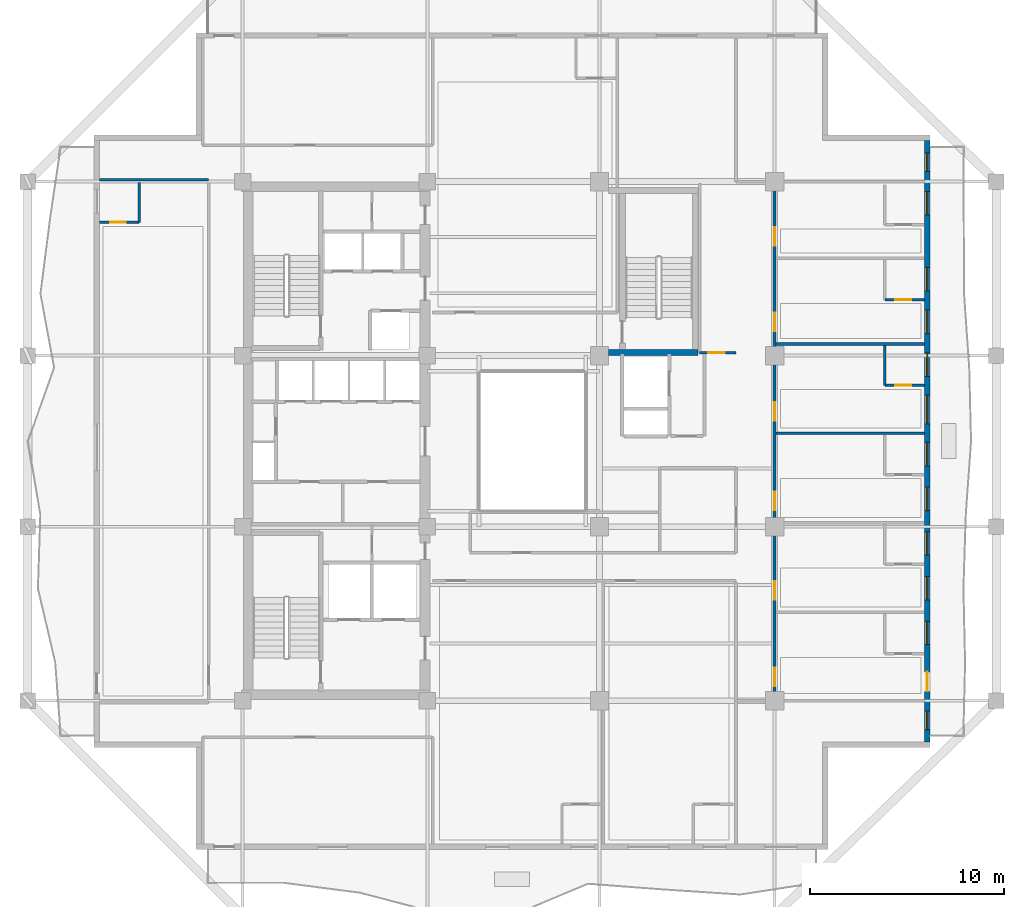
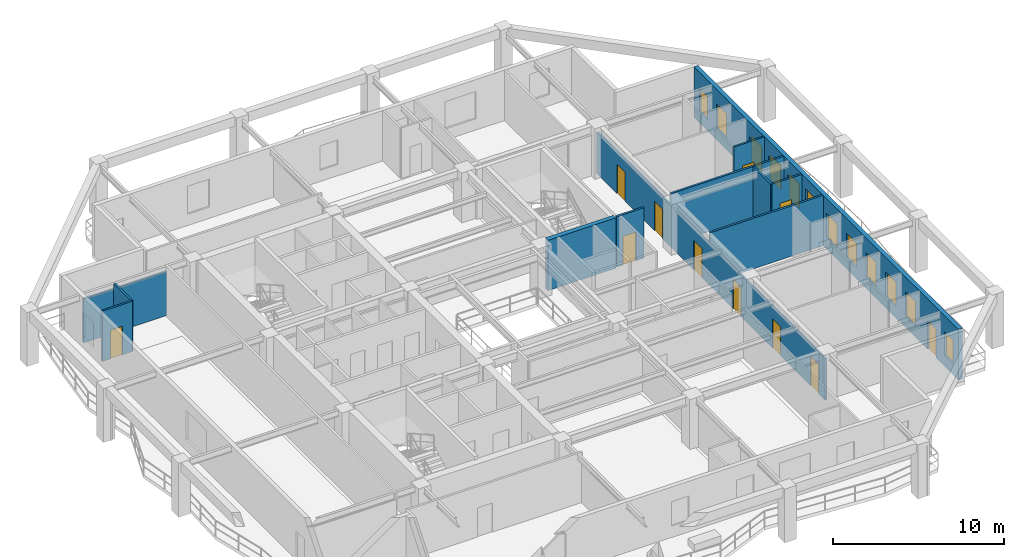
# One storey, part 5 of 13: 12 walls, 12 windows, 11 doors, 23 openings.
"""IFC4 building model written with IfcOpenShell, lengths in metres."""

from ifc_helpers import new_model, si_unit, direction, frame, frame_2d, origin, place, context, subcontext, project, spatial, rectangle, extrude, material, layer, layer_set, type_object, element, fill, save


model = new_model("IFC4")

# Units and contexts
model_context = context("Model", 3, precision=1e-05, world=origin(), true_north=direction((0.0, 1.0)))
body_context = subcontext(model_context, "Body", "Model", "MODEL_VIEW")
ifc_project = project(units=[si_unit("LENGTHUNIT", "METRE"), si_unit("AREAUNIT", "SQUARE_METRE"), si_unit("VOLUMEUNIT", "CUBIC_METRE"), si_unit("PLANEANGLEUNIT", "RADIAN"), si_unit("MASSUNIT", "GRAM", prefix="KILO")], contexts=[model_context])

# Site, building, storey
site_placement = place(None, origin())
site = spatial("IfcSite", under=ifc_project, at=site_placement, CompositionType="ELEMENT")
building_placement = place(site_placement, origin())
building = spatial("IfcBuilding", under=site, at=building_placement, Name="Kundavana Baori Tower", CompositionType="ELEMENT")
storey_placement = place(building_placement, frame((0.0, 0.0, 188.699951171875)))
storey = spatial("IfcBuildingStorey", under=building, at=storey_placement, Name="L46", CompositionType="ELEMENT", Elevation=188.699951171875)

# Wall, openings, door, windows
ifc_material_1 = material(Name="Red-Buff Dholpur Sandstone Cladding on Concrete C40/50", Category="masonry")
ifc_layer_1 = layer(ifc_material_1, 0.280029296875, Name="WL-EXT-SAND-280")
ifc_layer_set_1 = layer_set([ifc_layer_1], Name="Red-Buff Dholpur Sandstone Cladding on Concrete C40/50")
wall_type_1 = type_object("IfcWallType", Name="WL-EXT-SAND-280", PredefinedType="STANDARD", material=ifc_layer_set_1)
wall_1_placement = place(storey_placement, frame((50.659912109375, 13.1298828125, 0.0), z_axis=(0.0, 0.0, 1.0), x_axis=(0.0, 1.0, 0.0)))
wall_1 = element("IfcWall", 1, at=wall_1_placement, inside=storey, type_object=wall_type_1, Name="L46 Exterior Insulated Facade Wall 04", PredefinedType="STANDARD", context=body_context, shape_type="SweptSolid", body=[
    extrude(rectangle(XDim=30.940185546875, YDim=0.280029296875, at=frame_2d((15.47021484375, 0.0))), origin(), (0.0, 0.0, 1.0), 3.60009765625),
])
opening_1_placement = place(wall_1_placement, frame((0.639892578125, 0.0, 0.800048828125)))
opening_1 = element("IfcOpeningElement", 2, at=opening_1_placement, cuts=wall_1, Name="Opening W-13", PredefinedType="OPENING", context=body_context, shape_type="SweptSolid", body=[
    extrude(rectangle(XDim=0.949951171875, YDim=1.64990234375, at=frame_2d((0.47509765625, 0.824951171875))), frame((0.0, 0.14990234375, 0.0), z_axis=(0.0, -1.0, 0.0), x_axis=(1.0, 0.0, 0.0)), (0.0, 0.0, 1.0), 0.300048828125),
])
opening_2_placement = place(wall_1_placement, frame((2.610107421875, 0.0, 0.0)))
opening_2 = element("IfcOpeningElement", 3, at=opening_2_placement, cuts=wall_1, Name="Opening BD-1", PredefinedType="OPENING", context=body_context, shape_type="SweptSolid", body=[
    extrude(rectangle(XDim=1.0, YDim=2.050048828125, at=frame_2d((0.5, 1.02490234375))), frame((0.0, 0.14990234375, 0.0), z_axis=(0.0, -1.0, 0.0), x_axis=(1.0, 0.0, 0.0)), (0.0, 0.0, 1.0), 0.300048828125),
])
opening_3_placement = place(wall_1_placement, frame((5.0048828125, 0.0, 0.800048828125)))
opening_3 = element("IfcOpeningElement", 4, at=opening_3_placement, cuts=wall_1, Name="Opening W-03", PredefinedType="OPENING", context=body_context, shape_type="SweptSolid", body=[
    extrude(rectangle(XDim=1.199951171875, YDim=1.75, at=frame_2d((0.60009765625, 0.875))), frame((0.0, 0.14990234375, 0.0), z_axis=(0.0, -1.0, 0.0), x_axis=(1.0, 0.0, 0.0)), (0.0, 0.0, 1.0), 0.300048828125),
])
opening_4_placement = place(wall_1_placement, frame((7.304931640625, 0.0, 0.800048828125)))
opening_4 = element("IfcOpeningElement", 5, at=opening_4_placement, cuts=wall_1, Name="Opening W-03", PredefinedType="OPENING", context=body_context, shape_type="SweptSolid", body=[
    extrude(rectangle(XDim=1.199951171875, YDim=1.75, at=frame_2d((0.60009765625, 0.875))), frame((0.0, 0.14990234375, 0.0), z_axis=(0.0, -1.0, 0.0), x_axis=(1.0, 0.0, 0.0)), (0.0, 0.0, 1.0), 0.300048828125),
])
opening_5_placement = place(wall_1_placement, frame((9.60498046875, 0.0, 0.800048828125)))
opening_5 = element("IfcOpeningElement", 6, at=opening_5_placement, cuts=wall_1, Name="Opening W-03", PredefinedType="OPENING", context=body_context, shape_type="SweptSolid", body=[
    extrude(rectangle(XDim=1.199951171875, YDim=1.75, at=frame_2d((0.60009765625, 0.875))), frame((0.0, 0.14990234375, 0.0), z_axis=(0.0, -1.0, 0.0), x_axis=(1.0, 0.0, 0.0)), (0.0, 0.0, 1.0), 0.300048828125),
])
opening_6_placement = place(wall_1_placement, frame((11.905029296875, 0.0, 0.800048828125)))
opening_6 = element("IfcOpeningElement", 7, at=opening_6_placement, cuts=wall_1, Name="Opening W-03", PredefinedType="OPENING", context=body_context, shape_type="SweptSolid", body=[
    extrude(rectangle(XDim=1.199951171875, YDim=1.75, at=frame_2d((0.60009765625, 0.875))), frame((0.0, 0.14990234375, 0.0), z_axis=(0.0, -1.0, 0.0), x_axis=(1.0, 0.0, 0.0)), (0.0, 0.0, 1.0), 0.300048828125),
])
opening_7_placement = place(wall_1_placement, frame((14.205078125, 0.0, 0.800048828125)))
opening_7 = element("IfcOpeningElement", 8, at=opening_7_placement, cuts=wall_1, Name="Opening W-03", PredefinedType="OPENING", context=body_context, shape_type="SweptSolid", body=[
    extrude(rectangle(XDim=1.199951171875, YDim=1.75, at=frame_2d((0.60009765625, 0.875))), frame((0.0, 0.14990234375, 0.0), z_axis=(0.0, -1.0, 0.0), x_axis=(1.0, 0.0, 0.0)), (0.0, 0.0, 1.0), 0.300048828125),
])
opening_8_placement = place(wall_1_placement, frame((16.35498046875, 0.0, 0.800048828125)))
opening_8 = element("IfcOpeningElement", 9, at=opening_8_placement, cuts=wall_1, Name="Opening W-02", PredefinedType="OPENING", context=body_context, shape_type="SweptSolid", body=[
    extrude(rectangle(XDim=1.5, YDim=2.0, at=frame_2d((0.75, 1.0))), frame((0.0, 0.14990234375, 0.0), z_axis=(0.0, -1.0, 0.0), x_axis=(1.0, 0.0, 0.0)), (0.0, 0.0, 1.0), 0.300048828125),
])
opening_9_placement = place(wall_1_placement, frame((18.804931640625, 0.0, 0.800048828125)))
opening_9 = element("IfcOpeningElement", 10, at=opening_9_placement, cuts=wall_1, Name="Opening W-03", PredefinedType="OPENING", context=body_context, shape_type="SweptSolid", body=[
    extrude(rectangle(XDim=1.199951171875, YDim=1.75, at=frame_2d((0.60009765625, 0.875))), frame((0.0, 0.14990234375, 0.0), z_axis=(0.0, -1.0, 0.0), x_axis=(1.0, 0.0, 0.0)), (0.0, 0.0, 1.0), 0.300048828125),
])
opening_10_placement = place(wall_1_placement, frame((21.0048828125, 0.0, 0.800048828125)))
opening_10 = element("IfcOpeningElement", 11, at=opening_10_placement, cuts=wall_1, Name="Opening W-03", PredefinedType="OPENING", context=body_context, shape_type="SweptSolid", body=[
    extrude(rectangle(XDim=1.199951171875, YDim=1.75, at=frame_2d((0.60009765625, 0.875))), frame((0.0, 0.14990234375, 0.0), z_axis=(0.0, -1.0, 0.0), x_axis=(1.0, 0.0, 0.0)), (0.0, 0.0, 1.0), 0.300048828125),
])
opening_11_placement = place(wall_1_placement, frame((23.205078125, 0.0, 0.800048828125)))
opening_11 = element("IfcOpeningElement", 12, at=opening_11_placement, cuts=wall_1, Name="Opening W-03", PredefinedType="OPENING", context=body_context, shape_type="SweptSolid", body=[
    extrude(rectangle(XDim=1.199951171875, YDim=1.75, at=frame_2d((0.60009765625, 0.875))), frame((0.0, 0.14990234375, 0.0), z_axis=(0.0, -1.0, 0.0), x_axis=(1.0, 0.0, 0.0)), (0.0, 0.0, 1.0), 0.300048828125),
])
opening_12_placement = place(wall_1_placement, frame((27.10498046875, 0.0, 0.800048828125)))
opening_12 = element("IfcOpeningElement", 13, at=opening_12_placement, cuts=wall_1, Name="Opening W-03", PredefinedType="OPENING", context=body_context, shape_type="SweptSolid", body=[
    extrude(rectangle(XDim=1.199951171875, YDim=1.75, at=frame_2d((0.60009765625, 0.875))), frame((0.0, 0.14990234375, 0.0), z_axis=(0.0, -1.0, 0.0), x_axis=(1.0, 0.0, 0.0)), (0.0, 0.0, 1.0), 0.300048828125),
])
opening_13_placement = place(wall_1_placement, frame((29.35009765625, 0.0, 0.800048828125)))
opening_13 = element("IfcOpeningElement", 14, at=opening_13_placement, cuts=wall_1, Name="Opening W-13", PredefinedType="OPENING", context=body_context, shape_type="SweptSolid", body=[
    extrude(rectangle(XDim=0.949951171875, YDim=1.64990234375, at=frame_2d((0.47509765625, 0.824951171875))), frame((0.0, 0.14990234375, 0.0), z_axis=(0.0, -1.0, 0.0), x_axis=(1.0, 0.0, 0.0)), (0.0, 0.0, 1.0), 0.300048828125),
])
ifc_material_2 = material(Name="Architectural Patinated Bronze Metalwork")
door_type_1 = type_object("IfcDoorType", Name="DR-EXT-LOG-1000", OperationType="NOTDEFINED", PredefinedType="DOOR", material=ifc_material_2)
door_1_placement = place(opening_2_placement, frame((1.0, 0.0, 0.0), z_axis=(0.0, 0.0, 1.0), x_axis=(-1.0, 0.0, 0.0)))
door_1 = element("IfcDoor", 15, at=door_1_placement, inside=storey, type_object=door_type_1, Name="L46 Loggia Balcony Access Door E", OperationType="SINGLE_SWING_LEFT", OverallHeight=2.050048828125, OverallWidth=1.0, PredefinedType="DOOR", context=body_context, shape_type="SweptSolid", body=[
    extrude(rectangle(XDim=1.0, YDim=2.050048828125, at=frame_2d((0.5, 1.02490234375))), frame((0.0, 0.02490234375, 0.0), z_axis=(0.0, -1.0, 0.0), x_axis=(1.0, 0.0, 0.0)), (0.0, 0.0, 1.0), 0.050048828125),
])
fill(opening_2, door_1)
ifc_material_3 = material(Name="Double-Glazed Solar-Control Low-E Insulated Glass", Category="glass")
window_type_1 = type_object("IfcWindowType", Name="WIN-LOG-1200x1750", PartitioningType="SINGLE_PANEL", PredefinedType="WINDOW", material=ifc_material_3)
window_1_placement = place(opening_3_placement, origin())
window_1 = element("IfcWindow", 16, at=window_1_placement, inside=storey, type_object=window_type_1, Name="L46 Recessed Loggia Window E-3", OverallHeight=1.75, OverallWidth=1.199951171875, PartitioningType="SINGLE_PANEL", PredefinedType="WINDOW", context=body_context, shape_type="SweptSolid", body=[
    extrude(rectangle(XDim=1.199951171875, YDim=1.75, at=frame_2d((0.60009765625, 0.875))), frame((0.0, 0.030029296875, 0.0), z_axis=(0.0, -1.0, 0.0), x_axis=(1.0, 0.0, 0.0)), (0.0, 0.0, 1.0), 0.06005859375),
])
fill(opening_3, window_1)
window_2_placement = place(opening_4_placement, origin())
window_2 = element("IfcWindow", 17, at=window_2_placement, inside=storey, type_object=window_type_1, Name="L46 Recessed Loggia Window E-4", OverallHeight=1.75, OverallWidth=1.199951171875, PartitioningType="SINGLE_PANEL", PredefinedType="WINDOW", context=body_context, shape_type="SweptSolid", body=[
    extrude(rectangle(XDim=1.199951171875, YDim=1.75, at=frame_2d((0.60009765625, 0.875))), frame((0.0, 0.030029296875, 0.0), z_axis=(0.0, -1.0, 0.0), x_axis=(1.0, 0.0, 0.0)), (0.0, 0.0, 1.0), 0.06005859375),
])
fill(opening_4, window_2)
window_3_placement = place(opening_5_placement, origin())
window_3 = element("IfcWindow", 18, at=window_3_placement, inside=storey, type_object=window_type_1, Name="L46 Recessed Loggia Window E-5", OverallHeight=1.75, OverallWidth=1.199951171875, PartitioningType="SINGLE_PANEL", PredefinedType="WINDOW", context=body_context, shape_type="SweptSolid", body=[
    extrude(rectangle(XDim=1.199951171875, YDim=1.75, at=frame_2d((0.60009765625, 0.875))), frame((0.0, 0.030029296875, 0.0), z_axis=(0.0, -1.0, 0.0), x_axis=(1.0, 0.0, 0.0)), (0.0, 0.0, 1.0), 0.06005859375),
])
fill(opening_5, window_3)
window_4_placement = place(opening_6_placement, origin())
window_4 = element("IfcWindow", 19, at=window_4_placement, inside=storey, type_object=window_type_1, Name="L46 Recessed Loggia Window E-6", OverallHeight=1.75, OverallWidth=1.199951171875, PartitioningType="SINGLE_PANEL", PredefinedType="WINDOW", context=body_context, shape_type="SweptSolid", body=[
    extrude(rectangle(XDim=1.199951171875, YDim=1.75, at=frame_2d((0.60009765625, 0.875))), frame((0.0, 0.030029296875, 0.0), z_axis=(0.0, -1.0, 0.0), x_axis=(1.0, 0.0, 0.0)), (0.0, 0.0, 1.0), 0.06005859375),
])
fill(opening_6, window_4)
window_5_placement = place(opening_7_placement, origin())
window_5 = element("IfcWindow", 20, at=window_5_placement, inside=storey, type_object=window_type_1, Name="L46 Recessed Loggia Window E-7", OverallHeight=1.75, OverallWidth=1.199951171875, PartitioningType="SINGLE_PANEL", PredefinedType="WINDOW", context=body_context, shape_type="SweptSolid", body=[
    extrude(rectangle(XDim=1.199951171875, YDim=1.75, at=frame_2d((0.60009765625, 0.875))), frame((0.0, 0.030029296875, 0.0), z_axis=(0.0, -1.0, 0.0), x_axis=(1.0, 0.0, 0.0)), (0.0, 0.0, 1.0), 0.06005859375),
])
fill(opening_7, window_5)
window_6_placement = place(opening_9_placement, origin())
window_6 = element("IfcWindow", 21, at=window_6_placement, inside=storey, type_object=window_type_1, Name="L46 Recessed Loggia Window E-9", OverallHeight=1.75, OverallWidth=1.199951171875, PartitioningType="SINGLE_PANEL", PredefinedType="WINDOW", context=body_context, shape_type="SweptSolid", body=[
    extrude(rectangle(XDim=1.199951171875, YDim=1.75, at=frame_2d((0.60009765625, 0.875))), frame((0.0, 0.030029296875, 0.0), z_axis=(0.0, -1.0, 0.0), x_axis=(1.0, 0.0, 0.0)), (0.0, 0.0, 1.0), 0.06005859375),
])
fill(opening_9, window_6)
window_7_placement = place(opening_10_placement, origin())
window_7 = element("IfcWindow", 22, at=window_7_placement, inside=storey, type_object=window_type_1, Name="L46 Recessed Loggia Window E-10", OverallHeight=1.75, OverallWidth=1.199951171875, PartitioningType="SINGLE_PANEL", PredefinedType="WINDOW", context=body_context, shape_type="SweptSolid", body=[
    extrude(rectangle(XDim=1.199951171875, YDim=1.75, at=frame_2d((0.60009765625, 0.875))), frame((0.0, 0.030029296875, 0.0), z_axis=(0.0, -1.0, 0.0), x_axis=(1.0, 0.0, 0.0)), (0.0, 0.0, 1.0), 0.06005859375),
])
fill(opening_10, window_7)
window_8_placement = place(opening_11_placement, origin())
window_8 = element("IfcWindow", 23, at=window_8_placement, inside=storey, type_object=window_type_1, Name="L46 Recessed Loggia Window E-11", OverallHeight=1.75, OverallWidth=1.199951171875, PartitioningType="SINGLE_PANEL", PredefinedType="WINDOW", context=body_context, shape_type="SweptSolid", body=[
    extrude(rectangle(XDim=1.199951171875, YDim=1.75, at=frame_2d((0.60009765625, 0.875))), frame((0.0, 0.030029296875, 0.0), z_axis=(0.0, -1.0, 0.0), x_axis=(1.0, 0.0, 0.0)), (0.0, 0.0, 1.0), 0.06005859375),
])
fill(opening_11, window_8)
window_9_placement = place(opening_12_placement, origin())
window_9 = element("IfcWindow", 24, at=window_9_placement, inside=storey, type_object=window_type_1, Name="L46 Recessed Loggia Window E-12", OverallHeight=1.75, OverallWidth=1.199951171875, PartitioningType="SINGLE_PANEL", PredefinedType="WINDOW", context=body_context, shape_type="SweptSolid", body=[
    extrude(rectangle(XDim=1.199951171875, YDim=1.75, at=frame_2d((0.60009765625, 0.875))), frame((0.0, 0.030029296875, 0.0), z_axis=(0.0, -1.0, 0.0), x_axis=(1.0, 0.0, 0.0)), (0.0, 0.0, 1.0), 0.06005859375),
])
fill(opening_12, window_9)
ifc_material_4 = material(Name="Double-Glazed Solar-Control Low-E Insulated Glass", Category="glass")
window_type_2 = type_object("IfcWindowType", Name="WIN-LOG-1500x2000", PartitioningType="SINGLE_PANEL", PredefinedType="WINDOW", material=ifc_material_4)
window_10_placement = place(opening_8_placement, origin())
window_10 = element("IfcWindow", 25, at=window_10_placement, inside=storey, type_object=window_type_2, Name="L46 Recessed Loggia Window E-8", OverallHeight=2.0, OverallWidth=1.5, PartitioningType="SINGLE_PANEL", PredefinedType="WINDOW", context=body_context, shape_type="SweptSolid", body=[
    extrude(rectangle(XDim=1.5, YDim=2.0, at=frame_2d((0.75, 1.0))), frame((0.0, 0.030029296875, 0.0), z_axis=(0.0, -1.0, 0.0), x_axis=(1.0, 0.0, 0.0)), (0.0, 0.0, 1.0), 0.06005859375),
])
fill(opening_8, window_10)
ifc_material_5 = material(Name="Double-Glazed Solar-Control Low-E Insulated Glass", Category="glass")
window_type_3 = type_object("IfcWindowType", Name="WIN-LOG-950x1650", PartitioningType="SINGLE_PANEL", PredefinedType="WINDOW", material=ifc_material_5)
window_11_placement = place(opening_1_placement, origin())
window_11 = element("IfcWindow", 26, at=window_11_placement, inside=storey, type_object=window_type_3, Name="L46 Recessed Loggia Window E-1", OverallHeight=1.64990234375, OverallWidth=0.949951171875, PartitioningType="SINGLE_PANEL", PredefinedType="WINDOW", context=body_context, shape_type="SweptSolid", body=[
    extrude(rectangle(XDim=0.949951171875, YDim=1.64990234375, at=frame_2d((0.47509765625, 0.824951171875))), frame((0.0, 0.030029296875, 0.0), z_axis=(0.0, -1.0, 0.0), x_axis=(1.0, 0.0, 0.0)), (0.0, 0.0, 1.0), 0.06005859375),
])
fill(opening_1, window_11)
window_12_placement = place(opening_13_placement, origin())
window_12 = element("IfcWindow", 27, at=window_12_placement, inside=storey, type_object=window_type_3, Name="L46 Recessed Loggia Window E-13", OverallHeight=1.64990234375, OverallWidth=0.949951171875, PartitioningType="SINGLE_PANEL", PredefinedType="WINDOW", context=body_context, shape_type="SweptSolid", body=[
    extrude(rectangle(XDim=0.949951171875, YDim=1.64990234375, at=frame_2d((0.47509765625, 0.824951171875))), frame((0.0, 0.030029296875, 0.0), z_axis=(0.0, -1.0, 0.0), x_axis=(1.0, 0.0, 0.0)), (0.0, 0.0, 1.0), 0.06005859375),
])
fill(opening_13, window_12)

# Wall, openings, doors
ifc_material_6 = material(Name="Acoustic Gypsum Plasterboard on Galvanised Steel Studs", Category="steel")
ifc_layer_2 = layer(ifc_material_6, 0.135009765625, Name="WL-PART-135")
ifc_layer_set_2 = layer_set([ifc_layer_2], Name="Acoustic Gypsum Plasterboard on Galvanised Steel Studs")
wall_type_2 = type_object("IfcWallType", Name="WL-PART-135", PredefinedType="PARTITIONING", material=ifc_layer_set_2)
wall_2_placement = place(storey_placement, frame((42.800048828125, 15.25, 0.0), z_axis=(0.0, 0.0, 1.0), x_axis=(0.0, 1.0, 0.0)))
wall_2 = element("IfcWall", 28, at=wall_2_placement, inside=storey, type_object=wall_type_2, Name="WL-L46-HE", PredefinedType="PARTITIONING", context=body_context, shape_type="SweptSolid", body=[
    extrude(rectangle(XDim=26.699951171875, YDim=0.135009765625, at=frame_2d((13.35009765625, 0.0))), origin(), (0.0, 0.0, 1.0), 2.949951171875),
])
opening_14_placement = place(wall_2_placement, frame((0.75, 0.0, 0.0)))
opening_14 = element("IfcOpeningElement", 29, at=opening_14_placement, cuts=wall_2, Name="Opening FD-095", PredefinedType="OPENING", context=body_context, shape_type="SweptSolid", body=[
    extrude(rectangle(XDim=0.949951171875, YDim=2.10009765625, at=frame_2d((0.47509765625, 1.050048828125))), frame((0.0, 0.07763671875, 0.0), z_axis=(0.0, -1.0, 0.0), x_axis=(1.0, 0.0, 0.0)), (0.0, 0.0, 1.0), 0.155029296875),
])
opening_15_placement = place(wall_2_placement, frame((5.199951171875, 0.0, 0.0)))
opening_15 = element("IfcOpeningElement", 30, at=opening_15_placement, cuts=wall_2, Name="Opening FD-095", PredefinedType="OPENING", context=body_context, shape_type="SweptSolid", body=[
    extrude(rectangle(XDim=0.949951171875, YDim=2.10009765625, at=frame_2d((0.47509765625, 1.050048828125))), frame((0.0, 0.07763671875, 0.0), z_axis=(0.0, -1.0, 0.0), x_axis=(1.0, 0.0, 0.0)), (0.0, 0.0, 1.0), 0.155029296875),
])
opening_16_placement = place(wall_2_placement, frame((9.800048828125, 0.0, 0.0)))
opening_16 = element("IfcOpeningElement", 31, at=opening_16_placement, cuts=wall_2, Name="Opening FD-095", PredefinedType="OPENING", context=body_context, shape_type="SweptSolid", body=[
    extrude(rectangle(XDim=0.949951171875, YDim=2.10009765625, at=frame_2d((0.47509765625, 1.050048828125))), frame((0.0, 0.07763671875, 0.0), z_axis=(0.0, -1.0, 0.0), x_axis=(1.0, 0.0, 0.0)), (0.0, 0.0, 1.0), 0.155029296875),
])
opening_17_placement = place(wall_2_placement, frame((14.39990234375, 0.0, 0.0)))
opening_17 = element("IfcOpeningElement", 32, at=opening_17_placement, cuts=wall_2, Name="Opening FD-095", PredefinedType="OPENING", context=body_context, shape_type="SweptSolid", body=[
    extrude(rectangle(XDim=0.949951171875, YDim=2.10009765625, at=frame_2d((0.47509765625, 1.050048828125))), frame((0.0, 0.07763671875, 0.0), z_axis=(0.0, -1.0, 0.0), x_axis=(1.0, 0.0, 0.0)), (0.0, 0.0, 1.0), 0.155029296875),
])
opening_18_placement = place(wall_2_placement, frame((19.0, 0.0, 0.0)))
opening_18 = element("IfcOpeningElement", 33, at=opening_18_placement, cuts=wall_2, Name="Opening FD-095", PredefinedType="OPENING", context=body_context, shape_type="SweptSolid", body=[
    extrude(rectangle(XDim=0.949951171875, YDim=2.10009765625, at=frame_2d((0.47509765625, 1.050048828125))), frame((0.0, 0.07763671875, 0.0), z_axis=(0.0, -1.0, 0.0), x_axis=(1.0, 0.0, 0.0)), (0.0, 0.0, 1.0), 0.155029296875),
])
opening_19_placement = place(wall_2_placement, frame((23.39990234375, 0.0, 0.0)))
opening_19 = element("IfcOpeningElement", 34, at=opening_19_placement, cuts=wall_2, Name="Opening FD-095", PredefinedType="OPENING", context=body_context, shape_type="SweptSolid", body=[
    extrude(rectangle(XDim=0.949951171875, YDim=2.10009765625, at=frame_2d((0.47509765625, 1.050048828125))), frame((0.0, 0.07763671875, 0.0), z_axis=(0.0, -1.0, 0.0), x_axis=(1.0, 0.0, 0.0)), (0.0, 0.0, 1.0), 0.155029296875),
])
ifc_material_7 = material(Name="Engineered Teak Fire-Rated Timber Door Leaf", Category="wood")
door_type_2 = type_object("IfcDoorType", Name="DR-FD60-950", OperationType="NOTDEFINED", PredefinedType="DOOR", material=ifc_material_7)
door_2_placement = place(opening_14_placement, origin())
door_2 = element("IfcDoor", 35, at=door_2_placement, inside=storey, type_object=door_type_2, Name="DR-L46-HK-E1-ENT", OperationType="SINGLE_SWING_LEFT", OverallHeight=2.10009765625, OverallWidth=0.949951171875, PredefinedType="DOOR", context=body_context, shape_type="SweptSolid", body=[
    extrude(rectangle(XDim=0.949951171875, YDim=2.10009765625, at=frame_2d((0.47509765625, 1.050048828125))), frame((0.0, 0.02490234375, 0.0), z_axis=(0.0, -1.0, 0.0), x_axis=(1.0, 0.0, 0.0)), (0.0, 0.0, 1.0), 0.050048828125),
])
fill(opening_14, door_2)
door_3_placement = place(opening_15_placement, origin())
door_3 = element("IfcDoor", 36, at=door_3_placement, inside=storey, type_object=door_type_2, Name="DR-L46-HK-E2-ENT", OperationType="SINGLE_SWING_LEFT", OverallHeight=2.10009765625, OverallWidth=0.949951171875, PredefinedType="DOOR", context=body_context, shape_type="SweptSolid", body=[
    extrude(rectangle(XDim=0.949951171875, YDim=2.10009765625, at=frame_2d((0.47509765625, 1.050048828125))), frame((0.0, 0.02490234375, 0.0), z_axis=(0.0, -1.0, 0.0), x_axis=(1.0, 0.0, 0.0)), (0.0, 0.0, 1.0), 0.050048828125),
])
fill(opening_15, door_3)
door_4_placement = place(opening_16_placement, origin())
door_4 = element("IfcDoor", 37, at=door_4_placement, inside=storey, type_object=door_type_2, Name="DR-L46-HK-E3-ENT", OperationType="SINGLE_SWING_LEFT", OverallHeight=2.10009765625, OverallWidth=0.949951171875, PredefinedType="DOOR", context=body_context, shape_type="SweptSolid", body=[
    extrude(rectangle(XDim=0.949951171875, YDim=2.10009765625, at=frame_2d((0.47509765625, 1.050048828125))), frame((0.0, 0.02490234375, 0.0), z_axis=(0.0, -1.0, 0.0), x_axis=(1.0, 0.0, 0.0)), (0.0, 0.0, 1.0), 0.050048828125),
])
fill(opening_16, door_4)
door_5_placement = place(opening_17_placement, origin())
door_5 = element("IfcDoor", 38, at=door_5_placement, inside=storey, type_object=door_type_2, Name="DR-L46-HK-E4-ENT", OperationType="SINGLE_SWING_LEFT", OverallHeight=2.10009765625, OverallWidth=0.949951171875, PredefinedType="DOOR", context=body_context, shape_type="SweptSolid", body=[
    extrude(rectangle(XDim=0.949951171875, YDim=2.10009765625, at=frame_2d((0.47509765625, 1.050048828125))), frame((0.0, 0.02490234375, 0.0), z_axis=(0.0, -1.0, 0.0), x_axis=(1.0, 0.0, 0.0)), (0.0, 0.0, 1.0), 0.050048828125),
])
fill(opening_17, door_5)
door_6_placement = place(opening_18_placement, origin())
door_6 = element("IfcDoor", 39, at=door_6_placement, inside=storey, type_object=door_type_2, Name="DR-L46-HK-E5-ENT", OperationType="SINGLE_SWING_LEFT", OverallHeight=2.10009765625, OverallWidth=0.949951171875, PredefinedType="DOOR", context=body_context, shape_type="SweptSolid", body=[
    extrude(rectangle(XDim=0.949951171875, YDim=2.10009765625, at=frame_2d((0.47509765625, 1.050048828125))), frame((0.0, 0.02490234375, 0.0), z_axis=(0.0, -1.0, 0.0), x_axis=(1.0, 0.0, 0.0)), (0.0, 0.0, 1.0), 0.050048828125),
])
fill(opening_18, door_6)
door_7_placement = place(opening_19_placement, origin())
door_7 = element("IfcDoor", 40, at=door_7_placement, inside=storey, type_object=door_type_2, Name="DR-L46-HK-E6-ENT", OperationType="SINGLE_SWING_LEFT", OverallHeight=2.10009765625, OverallWidth=0.949951171875, PredefinedType="DOOR", context=body_context, shape_type="SweptSolid", body=[
    extrude(rectangle(XDim=0.949951171875, YDim=2.10009765625, at=frame_2d((0.47509765625, 1.050048828125))), frame((0.0, 0.02490234375, 0.0), z_axis=(0.0, -1.0, 0.0), x_axis=(1.0, 0.0, 0.0)), (0.0, 0.0, 1.0), 0.050048828125),
])
fill(opening_19, door_7)

# Walls
wall_3_placement = place(storey_placement, frame((8.080078125, 42.0400390625, 0.0), z_axis=(0.0, 0.0, 1.0), x_axis=(1.0, 0.0, 0.0)))
element("IfcWall", 41, at=wall_3_placement, inside=storey, type_object=wall_type_2, Name="WL-L46-HWN", PredefinedType="PARTITIONING", context=body_context, shape_type="SweptSolid", body=[
    extrude(rectangle(XDim=5.619873046875, YDim=0.135009765625, at=frame_2d((2.81005859375, 0.0))), origin(), (0.0, 0.0, 1.0), 3.150146484375),
])
for number, where, z_axis, x_axis, name in (
    (42, (42.8798828125, 29.0, 0.0), (0.0, 0.0, 1.0), (1.0, 0.0, 0.0), "WL-L46-HED3"),
    (43, (42.8798828125, 33.60009765625, 0.0), (0.0, 0.0, 1.0), (1.0, 0.0, 0.0), "WL-L46-HED4"),
):
    element("IfcWall", number, at=place(storey_placement, frame(where, z_axis=z_axis, x_axis=x_axis)), inside=storey, type_object=wall_type_2, Name=name, PredefinedType="PARTITIONING", context=body_context, shape_type="SweptSolid", body=[
        extrude(rectangle(XDim=7.64013671875, YDim=0.135009765625, at=frame_2d((3.820068359375, 0.0))), origin(), (0.0, 0.0, 1.0), 3.60009765625),
    ])

# Wall, opening, door
wall_4_placement = place(storey_placement, frame((38.949951171875, 33.14990234375, 0.0), z_axis=(0.0, 0.0, 1.0), x_axis=(1.0, 0.0, 0.0)))
wall_4 = element("IfcWall", 44, at=wall_4_placement, inside=storey, type_object=wall_type_2, Name="WL-L46-HNES", PredefinedType="PARTITIONING", context=body_context, shape_type="SweptSolid", body=[
    extrude(rectangle(XDim=1.8701171875, YDim=0.135009765625, at=frame_2d((0.93505859375, 0.0))), origin(), (0.0, 0.0, 1.0), 3.60009765625),
])
opening_20_placement = place(wall_4_placement, frame((0.449951171875, 0.0, 0.0)))
opening_20 = element("IfcOpeningElement", 45, at=opening_20_placement, cuts=wall_4, Name="Opening WD-085", PredefinedType="OPENING", context=body_context, shape_type="SweptSolid", body=[
    extrude(rectangle(XDim=0.85009765625, YDim=2.050048828125, at=frame_2d((0.425048828125, 1.02490234375))), frame((0.0, 0.07763671875, 0.0), z_axis=(0.0, -1.0, 0.0), x_axis=(1.0, 0.0, 0.0)), (0.0, 0.0, 1.0), 0.155029296875),
])
ifc_material_8 = material(Name="Engineered Teak Solid-Core Timber Veneer", Category="wood")
door_type_3 = type_object("IfcDoorType", Name="DR-WET-850", OperationType="NOTDEFINED", PredefinedType="DOOR", material=ifc_material_8)
door_8_placement = place(opening_20_placement, origin())
door_8 = element("IfcDoor", 46, at=door_8_placement, inside=storey, type_object=door_type_3, Name="DR-L46-HLNE", OperationType="SINGLE_SWING_LEFT", OverallHeight=2.050048828125, OverallWidth=0.85009765625, PredefinedType="DOOR", context=body_context, shape_type="SweptSolid", body=[
    extrude(rectangle(XDim=0.85009765625, YDim=2.050048828125, at=frame_2d((0.425048828125, 1.02490234375))), frame((0.0, 0.02490234375, 0.0), z_axis=(0.0, -1.0, 0.0), x_axis=(1.0, 0.0, 0.0)), (0.0, 0.0, 1.0), 0.050048828125),
])
fill(opening_20, door_8)

# Walls
ifc_material_9 = material(Name="Concrete C50/60", Category="concrete")
ifc_layer_3 = layer(ifc_material_9, 0.300048828125, Name="WL-ST3-300")
ifc_layer_set_3 = layer_set([ifc_layer_3], Name="Concrete C50/60")
wall_type_3 = type_object("IfcWallType", Name="WL-ST3-300", PredefinedType="SHEAR", material=ifc_layer_set_3)
wall_5_placement = place(storey_placement, frame((34.27490234375, 33.159912109375, 0.0), z_axis=(0.0, 0.0, 1.0), x_axis=(1.0, 0.0, 0.0)))
element("IfcWall", 47, at=wall_5_placement, inside=storey, type_object=wall_type_3, Name="L46 Stair ST3 South Shear Wall", PredefinedType="SHEAR", context=body_context, shape_type="SweptSolid", body=[
    extrude(rectangle(XDim=4.59521484375, YDim=0.300048828125, at=frame_2d((2.297607421875, 0.0))), origin(), (0.0, 0.0, 1.0), 3.60009765625),
])
ifc_material_10 = material(Name="Autoclaved Aerated Concrete Blockwork Masonry", Category="masonry")
ifc_layer_4 = layer(ifc_material_10, 0.125, Name="WL-WET-120")
ifc_layer_set_4 = layer_set([ifc_layer_4], Name="Autoclaved Aerated Concrete Blockwork Masonry")
wall_type_4 = type_object("IfcWallType", Name="WL-WET-120", PredefinedType="PLUMBINGWALL", material=ifc_layer_set_4)
wall_6_placement = place(storey_placement, frame((10.1298828125, 39.85009765625, 0.0), z_axis=(0.0, 0.0, 1.0), x_axis=(0.0, 1.0, 0.0)))
element("IfcWall", 48, at=wall_6_placement, inside=storey, type_object=wall_type_4, Name="WL-L46-HK-W1-BE", PredefinedType="PLUMBINGWALL", context=body_context, shape_type="SweptSolid", body=[
    extrude(rectangle(XDim=2.0498046875, YDim=0.125, at=frame_2d((1.02490234375, 0.0))), origin(), (0.0, 0.0, 1.0), 3.60009765625),
])

# Wall, opening, door
wall_7_placement = place(storey_placement, frame((8.080078125, 39.85009765625, 0.0), z_axis=(0.0, 0.0, 1.0), x_axis=(1.0, 0.0, 0.0)))
wall_7 = element("IfcWall", 49, at=wall_7_placement, inside=storey, type_object=wall_type_4, Name="WL-L46-HK-W1-BS", PredefinedType="PLUMBINGWALL", context=body_context, shape_type="SweptSolid", body=[
    extrude(rectangle(XDim=2.0498046875, YDim=0.125, at=frame_2d((1.02490234375, 0.0))), origin(), (0.0, 0.0, 1.0), 3.60009765625),
])
opening_21_placement = place(wall_7_placement, frame((0.550048828125, 0.0, 0.0)))
opening_21 = element("IfcOpeningElement", 50, at=opening_21_placement, cuts=wall_7, Name="Opening WD-080", PredefinedType="OPENING", context=body_context, shape_type="SweptSolid", body=[
    extrude(rectangle(XDim=0.800048828125, YDim=2.050048828125, at=frame_2d((0.39990234375, 1.02490234375))), frame((0.0, 0.072509765625, 0.0), z_axis=(0.0, -1.0, 0.0), x_axis=(1.0, 0.0, 0.0)), (0.0, 0.0, 1.0), 0.14501953125),
])
ifc_material_11 = material(Name="Engineered Teak Solid-Core Timber Veneer", Category="wood")
door_type_4 = type_object("IfcDoorType", Name="DR-WET-800", OperationType="NOTDEFINED", PredefinedType="DOOR", material=ifc_material_11)
door_9_placement = place(opening_21_placement, frame((0.800048828125, 0.0, 0.0), z_axis=(0.0, 0.0, 1.0), x_axis=(-1.0, 0.0, 0.0)))
door_9 = element("IfcDoor", 51, at=door_9_placement, inside=storey, type_object=door_type_4, Name="DR-L46-HK-W1-ENS", OperationType="SINGLE_SWING_LEFT", OverallHeight=2.050048828125, OverallWidth=0.800048828125, PredefinedType="DOOR", context=body_context, shape_type="SweptSolid", body=[
    extrude(rectangle(XDim=0.800048828125, YDim=2.050048828125, at=frame_2d((0.39990234375, 1.02490234375))), frame((0.0, 0.02490234375, 0.0), z_axis=(0.0, -1.0, 0.0), x_axis=(1.0, 0.0, 0.0)), (0.0, 0.0, 1.0), 0.050048828125),
])
fill(opening_21, door_9)

# Wall
wall_8_placement = place(storey_placement, frame((48.469970703125, 31.469970703125, 0.0), z_axis=(0.0, 0.0, 1.0), x_axis=(0.0, 1.0, 0.0)))
element("IfcWall", 52, at=wall_8_placement, inside=storey, type_object=wall_type_4, Name="WL-L46-HK-E4-BW", PredefinedType="PLUMBINGWALL", context=body_context, shape_type="SweptSolid", body=[
    extrude(rectangle(XDim=2.050048828125, YDim=0.125, at=frame_2d((1.02490234375, 0.0))), origin(), (0.0, 0.0, 1.0), 3.60009765625),
])

# Wall, opening, door
wall_9_placement = place(storey_placement, frame((48.469970703125, 31.469970703125, 0.0), z_axis=(0.0, 0.0, 1.0), x_axis=(1.0, 0.0, 0.0)))
wall_9 = element("IfcWall", 53, at=wall_9_placement, inside=storey, type_object=wall_type_4, Name="WL-L46-HK-E4-BS", PredefinedType="PLUMBINGWALL", context=body_context, shape_type="SweptSolid", body=[
    extrude(rectangle(XDim=2.050048828125, YDim=0.125, at=frame_2d((1.02490234375, 0.0))), origin(), (0.0, 0.0, 1.0), 3.60009765625),
])
opening_22_placement = place(wall_9_placement, frame((0.550048828125, 0.0, 0.0)))
opening_22 = element("IfcOpeningElement", 54, at=opening_22_placement, cuts=wall_9, Name="Opening WD-080", PredefinedType="OPENING", context=body_context, shape_type="SweptSolid", body=[
    extrude(rectangle(XDim=0.800048828125, YDim=2.050048828125, at=frame_2d((0.39990234375, 1.02490234375))), frame((0.0, 0.072509765625, 0.0), z_axis=(0.0, -1.0, 0.0), x_axis=(1.0, 0.0, 0.0)), (0.0, 0.0, 1.0), 0.14501953125),
])
door_10_placement = place(opening_22_placement, frame((0.800048828125, 0.0, 0.0), z_axis=(0.0, 0.0, 1.0), x_axis=(-1.0, 0.0, 0.0)))
door_10 = element("IfcDoor", 55, at=door_10_placement, inside=storey, type_object=door_type_4, Name="DR-L46-HK-E4-ENS", OperationType="SINGLE_SWING_LEFT", OverallHeight=2.050048828125, OverallWidth=0.800048828125, PredefinedType="DOOR", context=body_context, shape_type="SweptSolid", body=[
    extrude(rectangle(XDim=0.800048828125, YDim=2.050048828125, at=frame_2d((0.39990234375, 1.02490234375))), frame((0.0, 0.02490234375, 0.0), z_axis=(0.0, -1.0, 0.0), x_axis=(1.0, 0.0, 0.0)), (0.0, 0.0, 1.0), 0.050048828125),
])
fill(opening_22, door_10)

wall_10_placement = place(storey_placement, frame((48.469970703125, 35.8701171875, 0.0), z_axis=(0.0, 0.0, 1.0), x_axis=(1.0, 0.0, 0.0)))
wall_10 = element("IfcWall", 56, at=wall_10_placement, inside=storey, type_object=wall_type_4, Name="WL-L46-HK-E5-BS", PredefinedType="PLUMBINGWALL", context=body_context, shape_type="SweptSolid", body=[
    extrude(rectangle(XDim=2.050048828125, YDim=0.125, at=frame_2d((1.02490234375, 0.0))), origin(), (0.0, 0.0, 1.0), 3.60009765625),
])
opening_23_placement = place(wall_10_placement, frame((0.550048828125, 0.0, 0.0)))
opening_23 = element("IfcOpeningElement", 57, at=opening_23_placement, cuts=wall_10, Name="Opening WD-080", PredefinedType="OPENING", context=body_context, shape_type="SweptSolid", body=[
    extrude(rectangle(XDim=0.800048828125, YDim=2.050048828125, at=frame_2d((0.39990234375, 1.02490234375))), frame((0.0, 0.072509765625, 0.0), z_axis=(0.0, -1.0, 0.0), x_axis=(1.0, 0.0, 0.0)), (0.0, 0.0, 1.0), 0.14501953125),
])
door_11_placement = place(opening_23_placement, frame((0.800048828125, 0.0, 0.0), z_axis=(0.0, 0.0, 1.0), x_axis=(-1.0, 0.0, 0.0)))
door_11 = element("IfcDoor", 58, at=door_11_placement, inside=storey, type_object=door_type_4, Name="DR-L46-HK-E5-ENS", OperationType="SINGLE_SWING_LEFT", OverallHeight=2.050048828125, OverallWidth=0.800048828125, PredefinedType="DOOR", context=body_context, shape_type="SweptSolid", body=[
    extrude(rectangle(XDim=0.800048828125, YDim=2.050048828125, at=frame_2d((0.39990234375, 1.02490234375))), frame((0.0, 0.02490234375, 0.0), z_axis=(0.0, -1.0, 0.0), x_axis=(1.0, 0.0, 0.0)), (0.0, 0.0, 1.0), 0.050048828125),
])
fill(opening_23, door_11)

save(model, "model.ifc")
